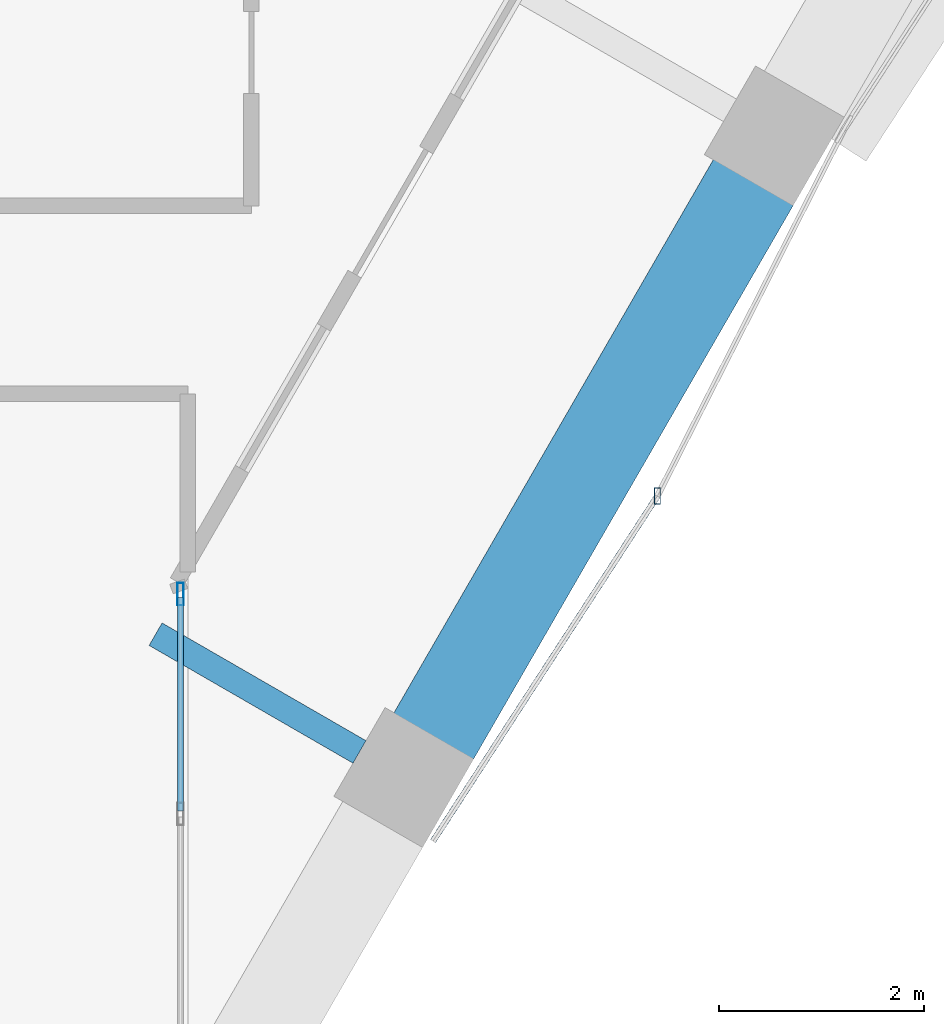
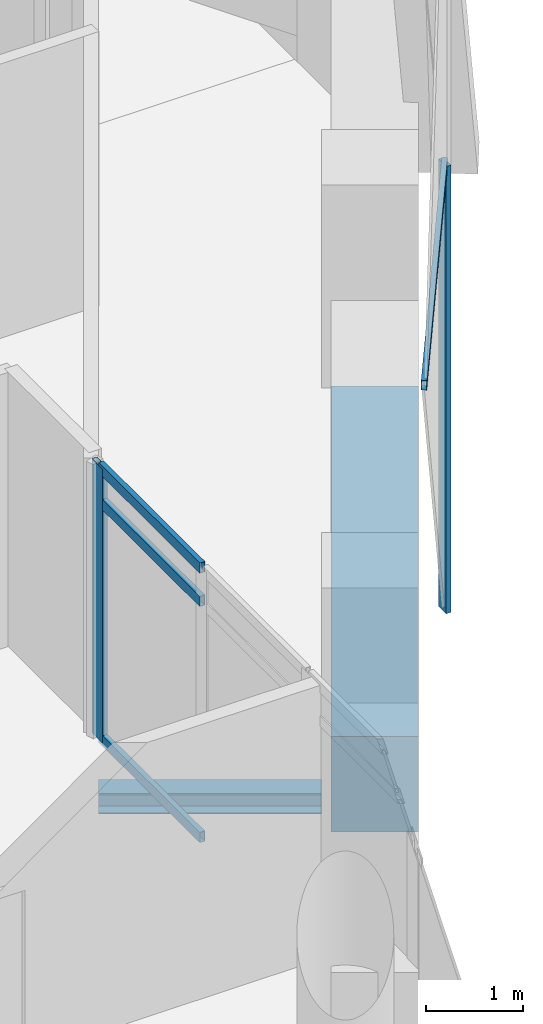
# One storey, part 12 of 37: 6 members, 2 beams, 3 elements without a shape of their own.
"""IFC4 building model written with IfcOpenShell, lengths in metres."""

from ifc_helpers import new_model, si_unit, direction, frame, origin, origin_2d, place, context, subcontext, project, spatial, rectangle, hollow_rectangle, i_section, extrude, material, material_profile, profile_set, type_object, element, aggregate, save


model = new_model("IFC4")

# Units and contexts
model_context = context("Model", 3, precision=1e-05, world=origin(), true_north=direction((0.0, 1.0)))
body_context = subcontext(model_context, "Body", "Model", "MODEL_VIEW")
ifc_project = project(units=[si_unit("LENGTHUNIT", "METRE"), si_unit("AREAUNIT", "SQUARE_METRE"), si_unit("VOLUMEUNIT", "CUBIC_METRE"), si_unit("PLANEANGLEUNIT", "RADIAN"), si_unit("MASSUNIT", "GRAM", prefix="KILO")], contexts=[model_context])

# Site, building, storey
site_placement = place(None, origin())
site = spatial("IfcSite", under=ifc_project, at=site_placement, CompositionType="ELEMENT")
building_placement = place(site_placement, origin())
building = spatial("IfcBuilding", under=site, at=building_placement, Name="Ostrander Bayou Hotel Tower", CompositionType="ELEMENT")
storey_placement = place(building_placement, frame((0.0, 0.0, 198.25)))
storey = spatial("IfcBuildingStorey", under=building, at=storey_placement, Name="L49", CompositionType="ELEMENT", Elevation=198.25)

# Curtain wall, members
ifc_material_1 = material(Name="Aluminium and clear glass", Category="aluminium")
curtain_wall_type_1 = type_object("IfcCurtainWallType", Name="CW-BAR glazed wall", PredefinedType="NOTDEFINED", material=ifc_material_1)
curtain_wall_1_placement = place(storey_placement, origin())
curtain_wall_1 = element("IfcCurtainWall", 1, at=curtain_wall_1_placement, inside=storey, type_object=curtain_wall_type_1, Name="CW-BAR L49:SB4S:W", PredefinedType="NOTDEFINED")
ifc_material_2 = material(Name="Aluminium", Category="aluminium")
ifc_material_profile_1 = material_profile(ifc_material_2, hollow_rectangle(XDim=0.06005859375, YDim=0.219970703125, WallThickness=0.00390625, at=origin_2d()))
ifc_profile_set_1 = profile_set([ifc_material_profile_1], Name="Aluminium")
member_type_1 = type_object("IfcMemberType", Name="CW-BR mullion 60 x 220 mm", PredefinedType="MULLION", material=ifc_profile_set_1)
member_1_placement = place(storey_placement, frame((11.857177734375, -10.49267578125, 0.0), z_axis=(0.0, 0.0, 1.0), x_axis=(1.0, 0.0, 0.0)))
member_1 = element("IfcMember", 2, at=member_1_placement, type_object=member_type_1, Name="CW-BAR mullion 1", PredefinedType="MULLION", context=body_context, shape_type="SweptSolid", body=[
    extrude(hollow_rectangle(XDim=0.06005859375, YDim=0.219970703125, WallThickness=0.00390625, at=origin_2d()), origin(), (0.0, 0.0, 1.0), 3.449951171875),
])
ifc_material_3 = material(Name="Aluminium", Category="aluminium")
ifc_material_profile_2 = material_profile(ifc_material_3, hollow_rectangle(XDim=0.06005859375, YDim=0.1298828125, WallThickness=0.00390625, at=origin_2d()))
ifc_profile_set_2 = profile_set([ifc_material_profile_2], Name="Aluminium")
member_type_2 = type_object("IfcMemberType", Name="CW-BR transom 60 x 130 mm", PredefinedType="USERDEFINED", material=ifc_profile_set_2)
member_2_placement = place(storey_placement, frame((11.857177734375, -10.522705078125, 0.030029296875), z_axis=(0.0, -1.0, 0.0), x_axis=(1.0, 0.0, 0.0)))
member_2 = element("IfcMember", 3, at=member_2_placement, type_object=member_type_2, Name="CW-BAR transom 1.1", ObjectType="TRANSOM", PredefinedType="USERDEFINED", context=body_context, shape_type="SweptSolid", body=[
    extrude(hollow_rectangle(XDim=0.06005859375, YDim=0.1298828125, WallThickness=0.00390625, at=origin_2d()), origin(), (0.0, 0.0, 1.0), 2.086181640625),
])
member_3_placement = place(storey_placement, frame((11.857177734375, -10.522705078125, 3.0), z_axis=(0.0, -1.0, 0.0), x_axis=(1.0, 0.0, 0.0)))
member_3 = element("IfcMember", 4, at=member_3_placement, type_object=member_type_2, Name="CW-BAR transom 1.2", ObjectType="TRANSOM", PredefinedType="USERDEFINED", context=body_context, shape_type="SweptSolid", body=[
    extrude(hollow_rectangle(XDim=0.06005859375, YDim=0.1298828125, WallThickness=0.00390625, at=origin_2d()), origin(), (0.0, 0.0, 1.0), 2.086181640625),
])
member_4_placement = place(storey_placement, frame((11.857177734375, -10.522705078125, 3.419921875), z_axis=(0.0, -1.0, 0.0), x_axis=(1.0, 0.0, 0.0)))
member_4 = element("IfcMember", 5, at=member_4_placement, type_object=member_type_2, Name="CW-BAR transom 1.3", ObjectType="TRANSOM", PredefinedType="USERDEFINED", context=body_context, shape_type="SweptSolid", body=[
    extrude(hollow_rectangle(XDim=0.06005859375, YDim=0.1298828125, WallThickness=0.00390625, at=origin_2d()), origin(), (0.0, 0.0, 1.0), 2.086181640625),
])
aggregate(curtain_wall_1, [member_1, member_2, member_3, member_4])

# Curtain wall, member
ifc_material_4 = material(Name="Aluminium and clear glass", Category="aluminium")
curtain_wall_type_2 = type_object("IfcCurtainWallType", Name="CW-LAT lattice glazing", PredefinedType="NOTDEFINED", material=ifc_material_4)
curtain_wall_2_placement = place(storey_placement, origin())
curtain_wall_2 = element("IfcCurtainWall", 6, at=curtain_wall_2_placement, inside=storey, type_object=curtain_wall_type_2, Name="CW-LAT L49 SE 1", PredefinedType="NOTDEFINED")
ifc_material_5 = material(Name="Aluminium", Category="aluminium")
ifc_material_profile_3 = material_profile(ifc_material_5, hollow_rectangle(XDim=0.06005859375, YDim=0.159912109375, WallThickness=0.00390625, at=origin_2d()))
ifc_profile_set_3 = profile_set([ifc_material_profile_3], Name="Aluminium")
member_type_3 = type_object("IfcMemberType", Name="CW-LA mullion 60 x 160 mm", PredefinedType="MULLION", material=ifc_profile_set_3)
member_5_placement = place(storey_placement, frame((16.51513671875, -9.534912109375, -0.60009765625), z_axis=(0.0, 0.0, 1.0), x_axis=(1.0, 0.0, 0.0)))
member_5 = element("IfcMember", 7, at=member_5_placement, type_object=member_type_3, Name="CW-LAT mullion 1", PredefinedType="MULLION", context=body_context, shape_type="SweptSolid", body=[
    extrude(hollow_rectangle(XDim=0.06005859375, YDim=0.159912109375, WallThickness=0.00390625, at=origin_2d()), origin(), (0.0, 0.0, 1.0), 5.625),
])
aggregate(curtain_wall_2, [member_5])

curtain_wall_3_placement = place(storey_placement, origin())
curtain_wall_3 = element("IfcCurtainWall", 8, at=curtain_wall_3_placement, inside=storey, type_object=curtain_wall_type_2, Name="CW-LAT L49 SE 2", PredefinedType="NOTDEFINED")
ifc_material_6 = material(Name="Aluminium", Category="aluminium")
ifc_material_profile_4 = material_profile(ifc_material_6, hollow_rectangle(XDim=0.06005859375, YDim=0.1201171875, WallThickness=0.00390625, at=origin_2d()))
ifc_profile_set_4 = profile_set([ifc_material_profile_4], Name="Aluminium")
member_type_4 = type_object("IfcMemberType", Name="CW-LA transom 60 x 120 mm", PredefinedType="USERDEFINED", material=ifc_profile_set_4)
member_6_placement = place(storey_placement, frame((16.51513671875, -9.534912109375, 5.02490234375), z_axis=(-0.545161258871, -0.838331200556, 0.0), x_axis=(0.838331200556, -0.545161258871, 0.0)))
member_6 = element("IfcMember", 9, at=member_6_placement, type_object=member_type_4, Name="CW-LAT transom 3", ObjectType="TRANSOM", PredefinedType="USERDEFINED", context=body_context, shape_type="SweptSolid", body=[
    extrude(hollow_rectangle(XDim=0.06005859375, YDim=0.1201171875, WallThickness=0.00390625, at=origin_2d()), origin(), (0.0, 0.0, 1.0), 4.019775390625),
])
aggregate(curtain_wall_3, [member_6])

# Beams
ifc_material_7 = material(Name="Steel ASTM A992", Category="steel")
ifc_material_profile_5 = material_profile(ifc_material_7, i_section(OverallWidth=0.25390625, OverallDepth=0.25341796875, WebThickness=0.008544921875, FlangeThickness=0.01416015625, at=origin_2d()))
ifc_profile_set_5 = profile_set([ifc_material_profile_5], Name="Steel ASTM A992")
beam_type_1 = type_object("IfcBeamType", Name="LB2 loggia bracket W10x49", PredefinedType="BEAM", material=ifc_profile_set_5)
beam_1_placement = place(storey_placement, frame((13.606201171875, -12.033203125, -0.4267578125), z_axis=(-0.86602648383, 0.499998129301, 0.0), x_axis=(-0.499998129301, -0.86602648383, 0.0)))
element("IfcBeam", 10, at=beam_1_placement, inside=storey, type_object=beam_type_1, Name="LB2 L49 SE1", PredefinedType="BEAM", context=body_context, shape_type="SweptSolid", body=[
    extrude(i_section(OverallWidth=0.25390625, OverallDepth=0.25341796875, WebThickness=0.008544921875, FlangeThickness=0.01416015625, at=origin_2d()), origin(), (0.0, 0.0, 1.0), 2.2998046875),
])
ifc_material_8 = material(Name="Concrete f'c 60 MPa", Category="concrete")
ifc_material_profile_6 = material_profile(ifc_material_8, rectangle(XDim=0.89990234375, YDim=1.199951171875, at=origin_2d()))
ifc_profile_set_6 = profile_set([ifc_material_profile_6], Name="Concrete f'c 60 MPa")
beam_type_2 = type_object("IfcBeamType", Name="SP3 spandrel beam 900 x 1200 mm f'c 60 MPa", PredefinedType="SPANDREL", material=ifc_profile_set_6)
beam_2_placement = place(storey_placement, frame((14.3173828125, -11.9013671875, -0.60009765625), z_axis=(0.500013351051, 0.866017695414, 0.0), x_axis=(-0.866017695414, 0.500013351051, 0.0)))
element("IfcBeam", 11, at=beam_2_placement, inside=storey, type_object=beam_type_2, Name="SP3 L49 SE-2", PredefinedType="SPANDREL", context=body_context, shape_type="SweptSolid", body=[
    extrude(rectangle(XDim=0.89990234375, YDim=1.199951171875, at=origin_2d()), origin(), (0.0, 0.0, 1.0), 6.296142578125),
])

save(model, "model.ifc")
